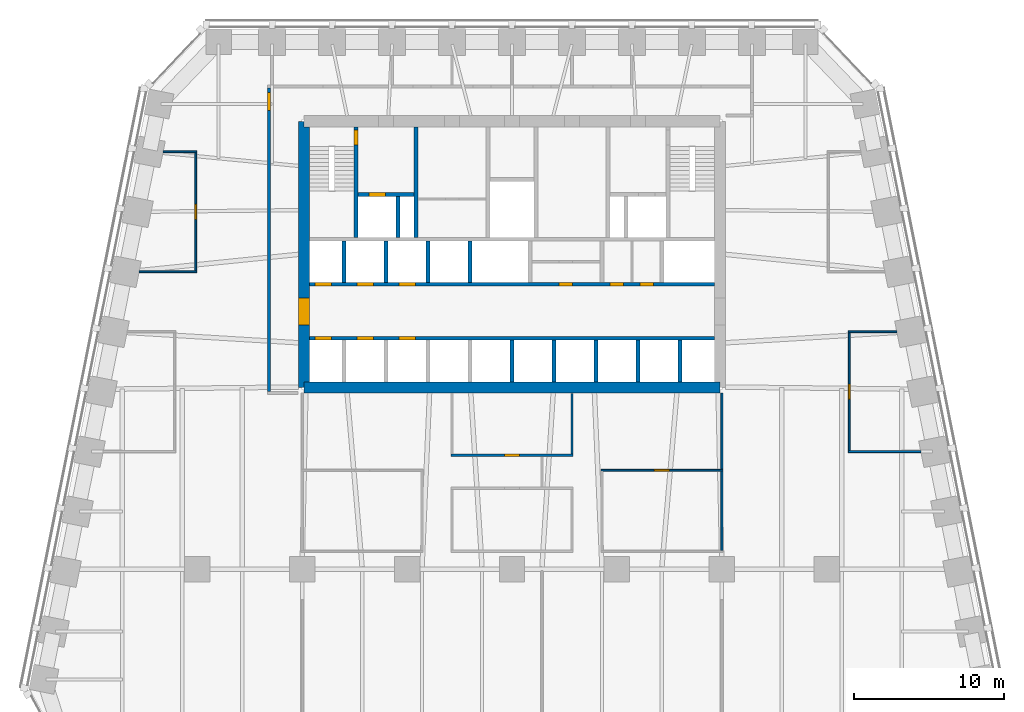
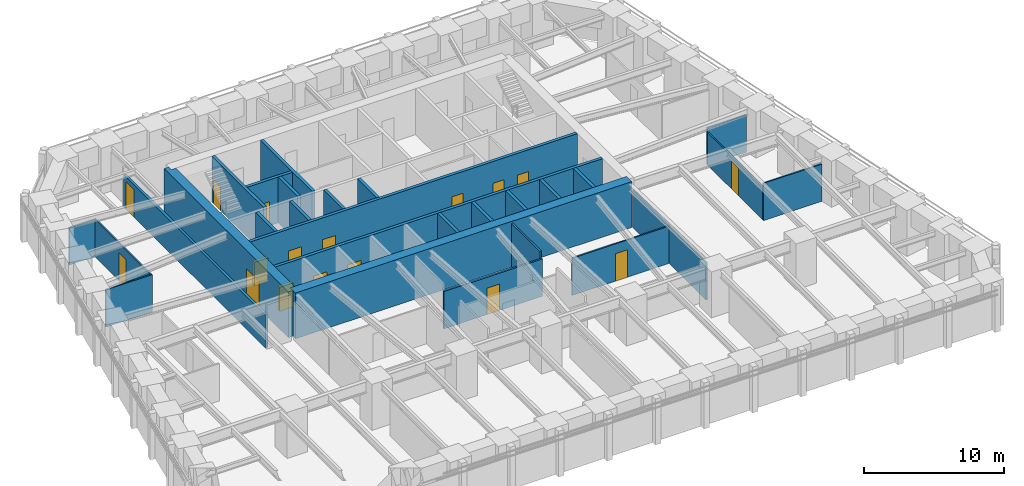
# One storey, part 6 of 10: 29 walls, 17 doors, 17 openings.
"""IFC4 building model written with IfcOpenShell, lengths in metres."""

from ifc_helpers import new_model, si_unit, direction, frame, frame_2d, origin, place, context, subcontext, project, spatial, polyline, rectangle, outline, extrude, material, layer, layer_set, type_object, element, fill, save


model = new_model("IFC4")

# Units and contexts
model_context = context("Model", 3, precision=1e-05, world=origin(), true_north=direction((0.0, 1.0)))
body_context = subcontext(model_context, "Body", "Model", "MODEL_VIEW")
ifc_project = project(units=[si_unit("LENGTHUNIT", "METRE"), si_unit("AREAUNIT", "SQUARE_METRE"), si_unit("VOLUMEUNIT", "CUBIC_METRE"), si_unit("PLANEANGLEUNIT", "RADIAN"), si_unit("MASSUNIT", "GRAM", prefix="KILO")], contexts=[model_context])

# Site, building, storey
site_placement = place(None, origin())
site = spatial("IfcSite", under=ifc_project, at=site_placement, CompositionType="ELEMENT")
building_placement = place(site_placement, origin())
building = spatial("IfcBuilding", under=site, at=building_placement, Name="Isbrekke Arena Tower", CompositionType="ELEMENT")
storey_placement = place(building_placement, frame((0.0, 0.0, 147.0)))
storey = spatial("IfcBuildingStorey", under=building, at=storey_placement, Name="L33", CompositionType="ELEMENT", Elevation=147.0)

# Wall
ifc_material_1 = material(Name="Concrete B55 (C55/67)", Category="concrete")
ifc_layer_1 = layer(ifc_material_1, 0.75)
ifc_layer_set_1 = layer_set([ifc_layer_1], Name="CW3 CORE WALL 750")
wall_type_1 = type_object("IfcWallType", Name="CW3 CORE WALL 750", PredefinedType="SHEAR", material=ifc_layer_set_1)
wall_1_placement = place(storey_placement, frame((-13.875, 6.125, 0.0), z_axis=(0.0, 0.0, 1.0), x_axis=(1.0, 0.0, 0.0)))
element("IfcWall", 1, at=wall_1_placement, inside=storey, type_object=wall_type_1, Name="Core wall S L33", PredefinedType="SHEAR", context=body_context, shape_type="SweptSolid", body=[
    extrude(rectangle(XDim=27.75, YDim=0.75, at=frame_2d((13.875, 0.0))), origin(), (0.0, 0.0, 1.0), 4.0),
])

# Wall, opening, door
wall_2_placement = place(storey_placement, frame((-13.875, 23.875, 0.0), z_axis=(0.0, 0.0, 1.0), x_axis=(0.0, -1.0, 0.0)))
wall_2 = element("IfcWall", 2, at=wall_2_placement, inside=storey, type_object=wall_type_1, Name="Core wall W L33", PredefinedType="SHEAR", context=body_context, shape_type="SweptSolid", body=[
    extrude(outline(polyline([(0.0, -0.375), (17.75, -0.375), (17.75, 0.0), (17.375, 0.0), (17.375, 0.375), (0.375, 0.375), (0.375, 0.0), (0.0, 0.0), (0.0, -0.375)])), origin(), (0.0, 0.0, 1.0), 4.0),
])
opening_1_placement = place(wall_2_placement, frame((11.77490234375, 0.0, 0.0)))
opening_1 = element("IfcOpeningElement", 3, at=opening_1_placement, cuts=wall_2, Name="Opening D1", PredefinedType="OPENING", context=body_context, shape_type="SweptSolid", body=[
    extrude(rectangle(XDim=1.800048828125, YDim=2.39990234375, at=frame_2d((0.89990234375, 1.199951171875))), frame((0.0, 0.389892578125, 0.0), z_axis=(0.0, -1.0, 0.0), x_axis=(1.0, 0.0, 0.0)), (0.0, 0.0, 1.0), 0.77978515625),
])
ifc_material_2 = material(Name="Steel-framed glazed fire door", Category="steel")
door_type_1 = type_object("IfcDoorType", Name="D1 CORE LOBBY DOOR 1800 x 2400", OperationType="DOUBLE_DOOR_SINGLE_SWING", PredefinedType="DOOR", material=ifc_material_2)
door_1_placement = place(opening_1_placement, origin())
door_1 = element("IfcDoor", 4, at=door_1_placement, inside=storey, type_object=door_type_1, Name="D1 lift lobby door west L33", OperationType="DOUBLE_DOOR_SINGLE_SWING", OverallHeight=2.39990234375, OverallWidth=1.800048828125, PredefinedType="DOOR", context=body_context, shape_type="SweptSolid", body=[
    extrude(rectangle(XDim=1.800048828125, YDim=2.39990234375, at=frame_2d((0.89990234375, 1.199951171875))), frame((0.0, 0.374755859375, 0.0), z_axis=(0.0, -1.0, 0.0), x_axis=(1.0, 0.0, 0.0)), (0.0, 0.0, 1.0), 0.74951171875),
])
fill(opening_1, door_1)

# Wall, openings, doors
ifc_material_3 = material(Name="Concrete B45 (C45/55)", Category="concrete")
ifc_layer_2 = layer(ifc_material_3, 0.25)
ifc_layer_set_2 = layer_set([ifc_layer_2], Name="CW6 SHAFT WALL 250")
wall_type_2 = type_object("IfcWallType", Name="CW6 SHAFT WALL 250", PredefinedType="SHEAR", material=ifc_layer_set_2)
wall_3_placement = place(storey_placement, frame((-13.5, 9.39990234375, 0.0), z_axis=(0.0, 0.0, 1.0), x_axis=(1.0, 0.0, 0.0)))
wall_3 = element("IfcWall", 5, at=wall_3_placement, inside=storey, type_object=wall_type_2, Name="Core wall LS L33", PredefinedType="SHEAR", context=body_context, shape_type="SweptSolid", body=[
    extrude(rectangle(XDim=27.0, YDim=0.25, at=frame_2d((13.5, 0.0))), origin(), (0.0, 0.0, 1.0), 4.0),
])
opening_2_placement = place(wall_3_placement, frame((0.35009765625, 0.0, 0.0)))
opening_2 = element("IfcOpeningElement", 6, at=opening_2_placement, cuts=wall_3, Name="Opening LD1", PredefinedType="OPENING", context=body_context, shape_type="SweptSolid", body=[
    extrude(rectangle(XDim=1.10009765625, YDim=2.10009765625, at=frame_2d((0.550048828125, 1.050048828125))), frame((0.0, 0.139892578125, 0.0), z_axis=(0.0, -1.0, 0.0), x_axis=(1.0, 0.0, 0.0)), (0.0, 0.0, 1.0), 0.27978515625),
])
opening_3_placement = place(wall_3_placement, frame((3.14990234375, 0.0, 0.0)))
opening_3 = element("IfcOpeningElement", 7, at=opening_3_placement, cuts=wall_3, Name="Opening LD1", PredefinedType="OPENING", context=body_context, shape_type="SweptSolid", body=[
    extrude(rectangle(XDim=1.10009765625, YDim=2.10009765625, at=frame_2d((0.550048828125, 1.050048828125))), frame((0.0, 0.139892578125, 0.0), z_axis=(0.0, -1.0, 0.0), x_axis=(1.0, 0.0, 0.0)), (0.0, 0.0, 1.0), 0.27978515625),
])
opening_4_placement = place(wall_3_placement, frame((5.949951171875, 0.0, 0.0)))
opening_4 = element("IfcOpeningElement", 8, at=opening_4_placement, cuts=wall_3, Name="Opening LD1", PredefinedType="OPENING", context=body_context, shape_type="SweptSolid", body=[
    extrude(rectangle(XDim=1.10009765625, YDim=2.10009765625, at=frame_2d((0.550048828125, 1.050048828125))), frame((0.0, 0.139892578125, 0.0), z_axis=(0.0, -1.0, 0.0), x_axis=(1.0, 0.0, 0.0)), (0.0, 0.0, 1.0), 0.27978515625),
])
ifc_material_4 = material(Name="Stainless steel lift landing door", Category="steel")
door_type_2 = type_object("IfcDoorType", Name="LD1 LIFT LANDING DOOR 1100 x 2100", OperationType="SLIDING_TO_LEFT", PredefinedType="DOOR", material=ifc_material_4)
door_2_placement = place(opening_2_placement, origin())
door_2 = element("IfcDoor", 9, at=door_2_placement, inside=storey, type_object=door_type_2, Name="LD1 lift landing door LB L33", OperationType="SLIDING_TO_LEFT", OverallHeight=2.10009765625, OverallWidth=1.10009765625, PredefinedType="DOOR", context=body_context, shape_type="SweptSolid", body=[
    extrude(rectangle(XDim=1.10009765625, YDim=2.10009765625, at=frame_2d((0.550048828125, 1.050048828125))), frame((0.0, 0.124755859375, 0.0), z_axis=(0.0, -1.0, 0.0), x_axis=(1.0, 0.0, 0.0)), (0.0, 0.0, 1.0), 0.24951171875),
])
fill(opening_2, door_2)
door_3_placement = place(opening_3_placement, origin())
door_3 = element("IfcDoor", 10, at=door_3_placement, inside=storey, type_object=door_type_2, Name="LD1 lift landing door LB L33", OperationType="SLIDING_TO_LEFT", OverallHeight=2.10009765625, OverallWidth=1.10009765625, PredefinedType="DOOR", context=body_context, shape_type="SweptSolid", body=[
    extrude(rectangle(XDim=1.10009765625, YDim=2.10009765625, at=frame_2d((0.550048828125, 1.050048828125))), frame((0.0, 0.124755859375, 0.0), z_axis=(0.0, -1.0, 0.0), x_axis=(1.0, 0.0, 0.0)), (0.0, 0.0, 1.0), 0.24951171875),
])
fill(opening_3, door_3)
door_4_placement = place(opening_4_placement, origin())
door_4 = element("IfcDoor", 11, at=door_4_placement, inside=storey, type_object=door_type_2, Name="LD1 lift landing door LB L33", OperationType="SLIDING_TO_LEFT", OverallHeight=2.10009765625, OverallWidth=1.10009765625, PredefinedType="DOOR", context=body_context, shape_type="SweptSolid", body=[
    extrude(rectangle(XDim=1.10009765625, YDim=2.10009765625, at=frame_2d((0.550048828125, 1.050048828125))), frame((0.0, 0.124755859375, 0.0), z_axis=(0.0, -1.0, 0.0), x_axis=(1.0, 0.0, 0.0)), (0.0, 0.0, 1.0), 0.24951171875),
])
fill(opening_4, door_4)

wall_4_placement = place(storey_placement, frame((-13.5, 13.0, 0.0), z_axis=(0.0, 0.0, 1.0), x_axis=(1.0, 0.0, 0.0)))
wall_4 = element("IfcWall", 12, at=wall_4_placement, inside=storey, type_object=wall_type_2, Name="Core wall LN L33", PredefinedType="SHEAR", context=body_context, shape_type="SweptSolid", body=[
    extrude(rectangle(XDim=27.0, YDim=0.25, at=frame_2d((13.5, 0.0))), origin(), (0.0, 0.0, 1.0), 4.0),
])
opening_5_placement = place(wall_4_placement, frame((0.35009765625, 0.0, 0.0)))
opening_5 = element("IfcOpeningElement", 13, at=opening_5_placement, cuts=wall_4, Name="Opening LD1", PredefinedType="OPENING", context=body_context, shape_type="SweptSolid", body=[
    extrude(rectangle(XDim=1.10009765625, YDim=2.10009765625, at=frame_2d((0.550048828125, 1.050048828125))), frame((0.0, 0.139892578125, 0.0), z_axis=(0.0, -1.0, 0.0), x_axis=(1.0, 0.0, 0.0)), (0.0, 0.0, 1.0), 0.27978515625),
])
opening_6_placement = place(wall_4_placement, frame((3.14990234375, 0.0, 0.0)))
opening_6 = element("IfcOpeningElement", 14, at=opening_6_placement, cuts=wall_4, Name="Opening LD1", PredefinedType="OPENING", context=body_context, shape_type="SweptSolid", body=[
    extrude(rectangle(XDim=1.10009765625, YDim=2.10009765625, at=frame_2d((0.550048828125, 1.050048828125))), frame((0.0, 0.139892578125, 0.0), z_axis=(0.0, -1.0, 0.0), x_axis=(1.0, 0.0, 0.0)), (0.0, 0.0, 1.0), 0.27978515625),
])
opening_7_placement = place(wall_4_placement, frame((5.949951171875, 0.0, 0.0)))
opening_7 = element("IfcOpeningElement", 15, at=opening_7_placement, cuts=wall_4, Name="Opening LD1", PredefinedType="OPENING", context=body_context, shape_type="SweptSolid", body=[
    extrude(rectangle(XDim=1.10009765625, YDim=2.10009765625, at=frame_2d((0.550048828125, 1.050048828125))), frame((0.0, 0.139892578125, 0.0), z_axis=(0.0, -1.0, 0.0), x_axis=(1.0, 0.0, 0.0)), (0.0, 0.0, 1.0), 0.27978515625),
])
opening_8_placement = place(wall_4_placement, frame((16.64990234375, 0.0, 0.0)))
opening_8 = element("IfcOpeningElement", 16, at=opening_8_placement, cuts=wall_4, Name="Opening D5", PredefinedType="OPENING", context=body_context, shape_type="SweptSolid", body=[
    extrude(rectangle(XDim=0.89990234375, YDim=2.10009765625, at=frame_2d((0.449951171875, 1.050048828125))), frame((0.0, 0.139892578125, 0.0), z_axis=(0.0, -1.0, 0.0), x_axis=(1.0, 0.0, 0.0)), (0.0, 0.0, 1.0), 0.27978515625),
])
opening_9_placement = place(wall_4_placement, frame((20.050048828125, 0.0, 0.0)))
opening_9 = element("IfcOpeningElement", 17, at=opening_9_placement, cuts=wall_4, Name="Opening D5", PredefinedType="OPENING", context=body_context, shape_type="SweptSolid", body=[
    extrude(rectangle(XDim=0.89990234375, YDim=2.10009765625, at=frame_2d((0.449951171875, 1.050048828125))), frame((0.0, 0.139892578125, 0.0), z_axis=(0.0, -1.0, 0.0), x_axis=(1.0, 0.0, 0.0)), (0.0, 0.0, 1.0), 0.27978515625),
])
opening_10_placement = place(wall_4_placement, frame((22.050048828125, 0.0, 0.0)))
opening_10 = element("IfcOpeningElement", 18, at=opening_10_placement, cuts=wall_4, Name="Opening D5", PredefinedType="OPENING", context=body_context, shape_type="SweptSolid", body=[
    extrude(rectangle(XDim=0.89990234375, YDim=2.10009765625, at=frame_2d((0.449951171875, 1.050048828125))), frame((0.0, 0.139892578125, 0.0), z_axis=(0.0, -1.0, 0.0), x_axis=(1.0, 0.0, 0.0)), (0.0, 0.0, 1.0), 0.27978515625),
])
ifc_material_5 = material(Name="Steel fire door", Category="steel")
door_type_3 = type_object("IfcDoorType", Name="D5 SERVICE DOOR 900 x 2100", OperationType="SINGLE_SWING_LEFT", PredefinedType="DOOR", material=ifc_material_5)
door_5_placement = place(opening_8_placement, origin())
door_5 = element("IfcDoor", 19, at=door_5_placement, inside=storey, type_object=door_type_3, Name="D5 first-aid room door L33", OperationType="SINGLE_SWING_LEFT", OverallHeight=2.10009765625, OverallWidth=0.89990234375, PredefinedType="DOOR", context=body_context, shape_type="SweptSolid", body=[
    extrude(rectangle(XDim=0.89990234375, YDim=2.10009765625, at=frame_2d((0.449951171875, 1.050048828125))), frame((0.0, 0.124755859375, 0.0), z_axis=(0.0, -1.0, 0.0), x_axis=(1.0, 0.0, 0.0)), (0.0, 0.0, 1.0), 0.24951171875),
])
fill(opening_8, door_5)
door_6_placement = place(opening_9_placement, origin())
door_6 = element("IfcDoor", 20, at=door_6_placement, inside=storey, type_object=door_type_3, Name="D5 cleaner's store door L33", OperationType="SINGLE_SWING_LEFT", OverallHeight=2.10009765625, OverallWidth=0.89990234375, PredefinedType="DOOR", context=body_context, shape_type="SweptSolid", body=[
    extrude(rectangle(XDim=0.89990234375, YDim=2.10009765625, at=frame_2d((0.449951171875, 1.050048828125))), frame((0.0, 0.124755859375, 0.0), z_axis=(0.0, -1.0, 0.0), x_axis=(1.0, 0.0, 0.0)), (0.0, 0.0, 1.0), 0.24951171875),
])
fill(opening_9, door_6)
door_7_placement = place(opening_10_placement, origin())
door_7 = element("IfcDoor", 21, at=door_7_placement, inside=storey, type_object=door_type_3, Name="D5 communications room door L33", OperationType="SINGLE_SWING_LEFT", OverallHeight=2.10009765625, OverallWidth=0.89990234375, PredefinedType="DOOR", context=body_context, shape_type="SweptSolid", body=[
    extrude(rectangle(XDim=0.89990234375, YDim=2.10009765625, at=frame_2d((0.449951171875, 1.050048828125))), frame((0.0, 0.124755859375, 0.0), z_axis=(0.0, -1.0, 0.0), x_axis=(1.0, 0.0, 0.0)), (0.0, 0.0, 1.0), 0.24951171875),
])
fill(opening_10, door_7)
door_8_placement = place(opening_5_placement, origin())
door_8 = element("IfcDoor", 22, at=door_8_placement, inside=storey, type_object=door_type_2, Name="LD1 lift landing door LB L33", OperationType="SLIDING_TO_LEFT", OverallHeight=2.10009765625, OverallWidth=1.10009765625, PredefinedType="DOOR", context=body_context, shape_type="SweptSolid", body=[
    extrude(rectangle(XDim=1.10009765625, YDim=2.10009765625, at=frame_2d((0.550048828125, 1.050048828125))), frame((0.0, 0.124755859375, 0.0), z_axis=(0.0, -1.0, 0.0), x_axis=(1.0, 0.0, 0.0)), (0.0, 0.0, 1.0), 0.24951171875),
])
fill(opening_5, door_8)
door_9_placement = place(opening_6_placement, origin())
door_9 = element("IfcDoor", 23, at=door_9_placement, inside=storey, type_object=door_type_2, Name="LD1 lift landing door LB L33", OperationType="SLIDING_TO_LEFT", OverallHeight=2.10009765625, OverallWidth=1.10009765625, PredefinedType="DOOR", context=body_context, shape_type="SweptSolid", body=[
    extrude(rectangle(XDim=1.10009765625, YDim=2.10009765625, at=frame_2d((0.550048828125, 1.050048828125))), frame((0.0, 0.124755859375, 0.0), z_axis=(0.0, -1.0, 0.0), x_axis=(1.0, 0.0, 0.0)), (0.0, 0.0, 1.0), 0.24951171875),
])
fill(opening_6, door_9)
door_10_placement = place(opening_7_placement, origin())
door_10 = element("IfcDoor", 24, at=door_10_placement, inside=storey, type_object=door_type_2, Name="LD1 lift landing door LB L33", OperationType="SLIDING_TO_LEFT", OverallHeight=2.10009765625, OverallWidth=1.10009765625, PredefinedType="DOOR", context=body_context, shape_type="SweptSolid", body=[
    extrude(rectangle(XDim=1.10009765625, YDim=2.10009765625, at=frame_2d((0.550048828125, 1.050048828125))), frame((0.0, 0.124755859375, 0.0), z_axis=(0.0, -1.0, 0.0), x_axis=(1.0, 0.0, 0.0)), (0.0, 0.0, 1.0), 0.24951171875),
])
fill(opening_7, door_10)

# Walls
for number, where, z_axis, x_axis, name in (
    (25, (0.0, 6.5, 0.0), (0.0, 0.0, 1.0), (0.0, 1.0, 0.0), "Core wall SS05 L33"),
    (26, (2.800048828125, 6.5, 0.0), (0.0, 0.0, 1.0), (0.0, 1.0, 0.0), "Core wall SS06 L33"),
    (27, (5.60009765625, 6.5, 0.0), (0.0, 0.0, 1.0), (0.0, 1.0, 0.0), "Core wall SS07 L33"),
    (28, (8.39990234375, 6.5, 0.0), (0.0, 0.0, 1.0), (0.0, 1.0, 0.0), "Core wall SS08 L33"),
    (29, (11.199951171875, 6.5, 0.0), (0.0, 0.0, 1.0), (0.0, 1.0, 0.0), "Core wall SS09 L33"),
):
    element("IfcWall", number, at=place(storey_placement, frame(where, z_axis=z_axis, x_axis=x_axis)), inside=storey, type_object=wall_type_2, Name=name, PredefinedType="SHEAR", context=body_context, shape_type="SweptSolid", body=[
        extrude(rectangle(XDim=2.77490234375, YDim=0.25, at=frame_2d((1.387451171875, 0.0))), origin(), (0.0, 0.0, 1.0), 4.0),
    ])
for number, where, z_axis, x_axis, name in (
    (30, (-11.199951171875, 13.125, 0.0), (0.0, 0.0, 1.0), (0.0, 1.0, 0.0), "Core wall SN01 L33"),
    (31, (-8.39990234375, 13.125, 0.0), (0.0, 0.0, 1.0), (0.0, 1.0, 0.0), "Core wall SN02 L33"),
    (32, (-5.60009765625, 13.125, 0.0), (0.0, 0.0, 1.0), (0.0, 1.0, 0.0), "Core wall SN03 L33"),
    (33, (-2.800048828125, 13.125, 0.0), (0.0, 0.0, 1.0), (0.0, 1.0, 0.0), "Core wall SN04 L33"),
):
    element("IfcWall", number, at=place(storey_placement, frame(where, z_axis=z_axis, x_axis=x_axis)), inside=storey, type_object=wall_type_2, Name=name, PredefinedType="SHEAR", context=body_context, shape_type="SweptSolid", body=[
        extrude(rectangle(XDim=2.75, YDim=0.25, at=frame_2d((1.375, 0.0))), origin(), (0.0, 0.0, 1.0), 4.0),
    ])

# Wall, opening, door
wall_5_placement = place(storey_placement, frame((-10.39990234375, 16.125, 0.0), z_axis=(0.0, 0.0, 1.0), x_axis=(0.0, 1.0, 0.0)))
wall_5 = element("IfcWall", 34, at=wall_5_placement, inside=storey, type_object=wall_type_2, Name="Core wall NV01 L33", PredefinedType="SHEAR", context=body_context, shape_type="SweptSolid", body=[
    extrude(rectangle(XDim=7.375, YDim=0.25, at=frame_2d((3.6875, 0.0))), origin(), (0.0, 0.0, 1.0), 4.0),
])
opening_11_placement = place(wall_5_placement, frame((6.175048828125, 0.0, 0.0)))
opening_11 = element("IfcOpeningElement", 35, at=opening_11_placement, cuts=wall_5, Name="Opening D2", PredefinedType="OPENING", context=body_context, shape_type="SweptSolid", body=[
    extrude(rectangle(XDim=1.0, YDim=2.10009765625, at=frame_2d((0.5, 1.050048828125))), frame((0.0, 0.139892578125, 0.0), z_axis=(0.0, -1.0, 0.0), x_axis=(1.0, 0.0, 0.0)), (0.0, 0.0, 1.0), 0.27978515625),
])
ifc_material_6 = material(Name="Steel fire door", Category="steel")
door_type_4 = type_object("IfcDoorType", Name="D2 STAIR DOOR 1000 x 2100", OperationType="SINGLE_SWING_LEFT", PredefinedType="DOOR", material=ifc_material_6)
door_11_placement = place(opening_11_placement, origin())
door_11 = element("IfcDoor", 36, at=door_11_placement, inside=storey, type_object=door_type_4, Name="D2 stair door ST1 L33", OperationType="SINGLE_SWING_LEFT", OverallHeight=2.10009765625, OverallWidth=1.0, PredefinedType="DOOR", context=body_context, shape_type="SweptSolid", body=[
    extrude(rectangle(XDim=1.0, YDim=2.10009765625, at=frame_2d((0.5, 1.050048828125))), frame((0.0, 0.124755859375, 0.0), z_axis=(0.0, -1.0, 0.0), x_axis=(1.0, 0.0, 0.0)), (0.0, 0.0, 1.0), 0.24951171875),
])
fill(opening_11, door_11)

# Wall
wall_6_placement = place(storey_placement, frame((-6.39990234375, 16.125, 0.0), z_axis=(0.0, 0.0, 1.0), x_axis=(0.0, 1.0, 0.0)))
element("IfcWall", 37, at=wall_6_placement, inside=storey, type_object=wall_type_2, Name="Core wall NV02 L33", PredefinedType="SHEAR", context=body_context, shape_type="SweptSolid", body=[
    extrude(rectangle(XDim=7.375, YDim=0.25, at=frame_2d((3.6875, 0.0))), origin(), (0.0, 0.0, 1.0), 4.0),
])

# Wall, opening, door
wall_7_placement = place(storey_placement, frame((-10.27490234375, 19.0, 0.0), z_axis=(0.0, 0.0, 1.0), x_axis=(1.0, 0.0, 0.0)))
wall_7 = element("IfcWall", 38, at=wall_7_placement, inside=storey, type_object=wall_type_2, Name="Core wall NFW L33", PredefinedType="SHEAR", context=body_context, shape_type="SweptSolid", body=[
    extrude(rectangle(XDim=3.75, YDim=0.25, at=frame_2d((1.875, 0.0))), origin(), (0.0, 0.0, 1.0), 4.0),
])
opening_12_placement = place(wall_7_placement, frame((0.72509765625, 0.0, 0.0)))
opening_12 = element("IfcOpeningElement", 39, at=opening_12_placement, cuts=wall_7, Name="Opening LD2", PredefinedType="OPENING", context=body_context, shape_type="SweptSolid", body=[
    extrude(rectangle(XDim=1.10009765625, YDim=2.10009765625, at=frame_2d((0.550048828125, 1.050048828125))), frame((0.0, 0.139892578125, 0.0), z_axis=(0.0, -1.0, 0.0), x_axis=(1.0, 0.0, 0.0)), (0.0, 0.0, 1.0), 0.27978515625),
])
ifc_material_7 = material(Name="Stainless steel lift landing door", Category="steel")
door_type_5 = type_object("IfcDoorType", Name="LD2 FIRE-FIGHTING LIFT LANDING DOOR 1100 x 2100", OperationType="SLIDING_TO_RIGHT", PredefinedType="DOOR", material=ifc_material_7)
door_12_placement = place(opening_12_placement, origin())
door_12 = element("IfcDoor", 40, at=door_12_placement, inside=storey, type_object=door_type_5, Name="LD2 lift landing door LF L33", OperationType="SLIDING_TO_RIGHT", OverallHeight=2.10009765625, OverallWidth=1.10009765625, PredefinedType="DOOR", context=body_context, shape_type="SweptSolid", body=[
    extrude(rectangle(XDim=1.10009765625, YDim=2.10009765625, at=frame_2d((0.550048828125, 1.050048828125))), frame((0.0, 0.124755859375, 0.0), z_axis=(0.0, -1.0, 0.0), x_axis=(1.0, 0.0, 0.0)), (0.0, 0.0, 1.0), 0.24951171875),
])
fill(opening_12, door_12)

# Wall
wall_8_placement = place(storey_placement, frame((-7.60009765625, 16.125, 0.0), z_axis=(0.0, 0.0, 1.0), x_axis=(0.0, 1.0, 0.0)))
element("IfcWall", 41, at=wall_8_placement, inside=storey, type_object=wall_type_2, Name="Core wall NFS1 L33", PredefinedType="SHEAR", context=body_context, shape_type="SweptSolid", body=[
    extrude(rectangle(XDim=2.75, YDim=0.25, at=frame_2d((1.375, 0.0))), origin(), (0.0, 0.0, 1.0), 4.0),
])

# Wall, opening, door
ifc_material_8 = material(Name="Gypsum board partition on steel studs", Category="steel")
ifc_layer_3 = layer(ifc_material_8, 0.14990234375)
ifc_layer_set_3 = layer_set([ifc_layer_3], Name="IW1 PARTITION 150")
wall_type_3 = type_object("IfcWallType", Name="IW1 PARTITION 150", PredefinedType="PARTITIONING", material=ifc_layer_set_3)
wall_9_placement = place(storey_placement, frame((-4.074951171875, 1.60009765625, 0.0), z_axis=(0.0, 0.0, 1.0), x_axis=(1.0, 0.0, 0.0)))
wall_9 = element("IfcWall", 42, at=wall_9_placement, inside=storey, type_object=wall_type_3, Name="IW1 partition 150 L33", PredefinedType="PARTITIONING", context=body_context, shape_type="SweptSolid", body=[
    extrude(rectangle(XDim=8.14990234375, YDim=0.14990234375, at=frame_2d((4.074951171875, 0.0))), origin(), (0.0, 0.0, 1.0), 3.25),
])
opening_13_placement = place(wall_9_placement, frame((3.574951171875, 0.0, 0.0)))
opening_13 = element("IfcOpeningElement", 43, at=opening_13_placement, cuts=wall_9, Name="Opening D10", PredefinedType="OPENING", context=body_context, shape_type="SweptSolid", body=[
    extrude(rectangle(XDim=1.0, YDim=2.300048828125, at=frame_2d((0.5, 1.14990234375))), frame((0.0, 0.08984375, 0.0), z_axis=(0.0, -1.0, 0.0), x_axis=(1.0, 0.0, 0.0)), (0.0, 0.0, 1.0), 0.1796875),
])
ifc_material_9 = material(Name="Timber door", Category="wood")
door_type_6 = type_object("IfcDoorType", Name="D10 OFFICE DOOR 1000 x 2300", OperationType="SINGLE_SWING_LEFT", PredefinedType="DOOR", material=ifc_material_9)
door_13_placement = place(opening_13_placement, origin())
door_13 = element("IfcDoor", 44, at=door_13_placement, inside=storey, type_object=door_type_6, Name="D10 print room door L33", OperationType="SINGLE_SWING_LEFT", OverallHeight=2.300048828125, OverallWidth=1.0, PredefinedType="DOOR", context=body_context, shape_type="SweptSolid", body=[
    extrude(rectangle(XDim=1.0, YDim=2.300048828125, at=frame_2d((0.5, 1.14990234375))), frame((0.0, 0.07470703125, 0.0), z_axis=(0.0, -1.0, 0.0), x_axis=(1.0, 0.0, 0.0)), (0.0, 0.0, 1.0), 0.1494140625),
])
fill(opening_13, door_13)

# Wall
wall_10_placement = place(storey_placement, frame((4.0, 1.675048828125, 0.0), z_axis=(0.0, 0.0, 1.0), x_axis=(0.0, 1.0, 0.0)))
element("IfcWall", 45, at=wall_10_placement, inside=storey, type_object=wall_type_3, Name="IW1 partition 150 L33", PredefinedType="PARTITIONING", context=body_context, shape_type="SweptSolid", body=[
    extrude(rectangle(XDim=4.044921875, YDim=0.14990234375, at=frame_2d((2.0224609375, 0.0))), origin(), (0.0, 0.0, 1.0), 3.85009765625),
])

# Wall, opening, door
ifc_material_10 = material(Name="Frameless glazed partition, laminated acoustic glass", Category="glass")
ifc_layer_4 = layer(ifc_material_10, 0.1201171875)
ifc_layer_set_4 = layer_set([ifc_layer_4], Name="IW2 GLAZED PARTITION 120")
wall_type_4 = type_object("IfcWallType", Name="IW2 GLAZED PARTITION 120", PredefinedType="PARTITIONING", material=ifc_layer_set_4)
wall_11_placement = place(storey_placement, frame((5.93994140625, 0.60009765625, 0.0), z_axis=(0.0, 0.0, 1.0), x_axis=(1.0, 0.0, 0.0)))
wall_11 = element("IfcWall", 46, at=wall_11_placement, inside=storey, type_object=wall_type_4, Name="IW2 glazed partition 120 L33", PredefinedType="PARTITIONING", context=body_context, shape_type="SweptSolid", body=[
    extrude(rectangle(XDim=8.1201171875, YDim=0.1201171875, at=frame_2d((4.06005859375, 0.0))), origin(), (0.0, 0.0, 1.0), 3.25),
])
opening_14_placement = place(wall_11_placement, frame((3.56005859375, 0.0, 0.0)))
opening_14 = element("IfcOpeningElement", 47, at=opening_14_placement, cuts=wall_11, Name="Opening D11", PredefinedType="OPENING", context=body_context, shape_type="SweptSolid", body=[
    extrude(rectangle(XDim=1.0, YDim=2.39990234375, at=frame_2d((0.5, 1.199951171875))), frame((0.0, 0.074951171875, 0.0), z_axis=(0.0, -1.0, 0.0), x_axis=(1.0, 0.0, 0.0)), (0.0, 0.0, 1.0), 0.14990234375),
])
ifc_material_11 = material(Name="Frameless glazed door", Category="glass")
door_type_7 = type_object("IfcDoorType", Name="D11 GLAZED MEETING ROOM DOOR 1000 x 2400", OperationType="SINGLE_SWING_RIGHT", PredefinedType="DOOR", material=ifc_material_11)
door_14_placement = place(opening_14_placement, origin())
door_14 = element("IfcDoor", 48, at=door_14_placement, inside=storey, type_object=door_type_7, Name="D11 meeting room door L33", OperationType="SINGLE_SWING_RIGHT", OverallHeight=2.39990234375, OverallWidth=1.0, PredefinedType="DOOR", context=body_context, shape_type="SweptSolid", body=[
    extrude(rectangle(XDim=1.0, YDim=2.39990234375, at=frame_2d((0.5, 1.199951171875))), frame((0.0, 0.059814453125, 0.0), z_axis=(0.0, -1.0, 0.0), x_axis=(1.0, 0.0, 0.0)), (0.0, 0.0, 1.0), 0.11962890625),
])
fill(opening_14, door_14)

# Walls
wall_12_placement = place(storey_placement, frame((22.43994140625, 1.840087890625, 0.0), z_axis=(0.0, 0.0, 1.0), x_axis=(1.0, 0.0, 0.0)))
element("IfcWall", 49, at=wall_12_placement, inside=storey, type_object=wall_type_4, Name="IW2 glazed partition 120 L33", PredefinedType="PARTITIONING", context=body_context, shape_type="SweptSolid", body=[
    extrude(rectangle(XDim=4.832763671875, YDim=0.1201171875, at=frame_2d((2.41650390625, 0.0))), origin(), (0.0, 0.0, 1.0), 3.25),
])
wall_13_placement = place(storey_placement, frame((22.43994140625, 9.840087890625, 0.0), z_axis=(0.0, 0.0, 1.0), x_axis=(1.0, 0.0, 0.0)))
element("IfcWall", 50, at=wall_13_placement, inside=storey, type_object=wall_type_4, Name="IW2 glazed partition 120 L33", PredefinedType="PARTITIONING", context=body_context, shape_type="SweptSolid", body=[
    extrude(rectangle(XDim=3.23291015625, YDim=0.1201171875, at=frame_2d((1.616455078125, 0.0))), origin(), (0.0, 0.0, 1.0), 3.25),
])
wall_14_placement = place(storey_placement, frame((-24.872802734375, 13.840087890625, 0.0), z_axis=(0.0, 0.0, 1.0), x_axis=(1.0, 0.0, 0.0)))
element("IfcWall", 51, at=wall_14_placement, inside=storey, type_object=wall_type_4, Name="IW2 glazed partition 120 L33", PredefinedType="PARTITIONING", context=body_context, shape_type="SweptSolid", body=[
    extrude(rectangle(XDim=3.832763671875, YDim=0.1201171875, at=frame_2d((1.91650390625, 0.0))), origin(), (0.0, 0.0, 1.0), 3.25),
])
wall_15_placement = place(storey_placement, frame((-23.272705078125, 21.840087890625, 0.0), z_axis=(0.0, 0.0, 1.0), x_axis=(1.0, 0.0, 0.0)))
element("IfcWall", 52, at=wall_15_placement, inside=storey, type_object=wall_type_4, Name="IW2 glazed partition 120 L33", PredefinedType="PARTITIONING", context=body_context, shape_type="SweptSolid", body=[
    extrude(rectangle(XDim=2.232666015625, YDim=0.1201171875, at=frame_2d((1.1162109375, 0.0))), origin(), (0.0, 0.0, 1.0), 3.25),
])

# Wall, opening, door
wall_16_placement = place(storey_placement, frame((-21.10009765625, 13.89990234375, 0.0), z_axis=(0.0, 0.0, 1.0), x_axis=(0.0, 1.0, 0.0)))
wall_16 = element("IfcWall", 53, at=wall_16_placement, inside=storey, type_object=wall_type_4, Name="IW2 glazed partition 120 L33", PredefinedType="PARTITIONING", context=body_context, shape_type="SweptSolid", body=[
    extrude(rectangle(XDim=7.880126953125, YDim=0.1201171875, at=frame_2d((3.93994140625, 0.0))), origin(), (0.0, 0.0, 1.0), 3.25),
])
opening_15_placement = place(wall_16_placement, frame((3.43994140625, 0.0, 0.0)))
opening_15 = element("IfcOpeningElement", 54, at=opening_15_placement, cuts=wall_16, Name="Opening D11", PredefinedType="OPENING", context=body_context, shape_type="SweptSolid", body=[
    extrude(rectangle(XDim=1.0, YDim=2.39990234375, at=frame_2d((0.5, 1.199951171875))), frame((0.0, 0.074951171875, 0.0), z_axis=(0.0, -1.0, 0.0), x_axis=(1.0, 0.0, 0.0)), (0.0, 0.0, 1.0), 0.14990234375),
])
door_15_placement = place(opening_15_placement, origin())
door_15 = element("IfcDoor", 55, at=door_15_placement, inside=storey, type_object=door_type_7, Name="D11 project room door L33", OperationType="SINGLE_SWING_RIGHT", OverallHeight=2.39990234375, OverallWidth=1.0, PredefinedType="DOOR", context=body_context, shape_type="SweptSolid", body=[
    extrude(rectangle(XDim=1.0, YDim=2.39990234375, at=frame_2d((0.5, 1.199951171875))), frame((0.0, 0.059814453125, 0.0), z_axis=(0.0, -1.0, 0.0), x_axis=(1.0, 0.0, 0.0)), (0.0, 0.0, 1.0), 0.11962890625),
])
fill(opening_15, door_15)

# Wall
wall_17_placement = place(storey_placement, frame((14.0, -4.739990234375, 0.0), z_axis=(0.0, 0.0, 1.0), x_axis=(0.0, 1.0, 0.0)))
element("IfcWall", 56, at=wall_17_placement, inside=storey, type_object=wall_type_4, Name="IW2 glazed partition 120 L33", PredefinedType="PARTITIONING", context=body_context, shape_type="SweptSolid", body=[
    extrude(rectangle(XDim=5.280029296875, YDim=0.1201171875, at=frame_2d((2.64013671875, 0.0))), origin(), (0.0, 0.0, 1.0), 3.25),
])

# Wall, opening, door
wall_18_placement = place(storey_placement, frame((22.5, 1.89990234375, 0.0), z_axis=(0.0, 0.0, 1.0), x_axis=(0.0, 1.0, 0.0)))
wall_18 = element("IfcWall", 57, at=wall_18_placement, inside=storey, type_object=wall_type_4, Name="IW2 glazed partition 120 L33", PredefinedType="PARTITIONING", context=body_context, shape_type="SweptSolid", body=[
    extrude(rectangle(XDim=7.880126953125, YDim=0.1201171875, at=frame_2d((3.93994140625, 0.0))), origin(), (0.0, 0.0, 1.0), 2.842041015625),
])
opening_16_placement = place(wall_18_placement, frame((3.43994140625, 0.0, 0.0)))
opening_16 = element("IfcOpeningElement", 58, at=opening_16_placement, cuts=wall_18, Name="Opening D11", PredefinedType="OPENING", context=body_context, shape_type="SweptSolid", body=[
    extrude(rectangle(XDim=1.0, YDim=2.39990234375, at=frame_2d((0.5, 1.199951171875))), frame((0.0, 0.074951171875, 0.0), z_axis=(0.0, -1.0, 0.0), x_axis=(1.0, 0.0, 0.0)), (0.0, 0.0, 1.0), 0.14990234375),
])
door_16_placement = place(opening_16_placement, origin())
door_16 = element("IfcDoor", 59, at=door_16_placement, inside=storey, type_object=door_type_7, Name="D11 project room door L33", OperationType="SINGLE_SWING_RIGHT", OverallHeight=2.39990234375, OverallWidth=1.0, PredefinedType="DOOR", context=body_context, shape_type="SweptSolid", body=[
    extrude(rectangle(XDim=1.0, YDim=2.39990234375, at=frame_2d((0.5, 1.199951171875))), frame((0.0, 0.059814453125, 0.0), z_axis=(0.0, -1.0, 0.0), x_axis=(1.0, 0.0, 0.0)), (0.0, 0.0, 1.0), 0.11962890625),
])
fill(opening_16, door_16)

# Wall
wall_19_placement = place(storey_placement, frame((14.0, 0.679931640625, 0.0), z_axis=(0.0, 0.0, 1.0), x_axis=(0.0, 1.0, 0.0)))
element("IfcWall", 60, at=wall_19_placement, inside=storey, type_object=wall_type_4, Name="IW2 glazed partition 120 L33", PredefinedType="PARTITIONING", context=body_context, shape_type="SweptSolid", body=[
    extrude(rectangle(XDim=5.070068359375, YDim=0.1201171875, at=frame_2d((2.53515625, 0.0))), origin(), (0.0, 0.0, 1.0), 3.25),
])

# Wall, opening, door
ifc_material_12 = material(Name="Gypsum board fire-cell wall on steel studs, two layers each side", Category="steel")
ifc_layer_5 = layer(ifc_material_12, 0.199951171875)
ifc_layer_set_5 = layer_set([ifc_layer_5], Name="IW3 FIRE-CELL WALL 200")
wall_type_5 = type_object("IfcWallType", Name="IW3 FIRE-CELL WALL 200", PredefinedType="PARTITIONING", material=ifc_layer_set_5)
wall_20_placement = place(storey_placement, frame((-16.199951171875, 5.85009765625, 0.0), z_axis=(0.0, 0.0, 1.0), x_axis=(0.0, 1.0, 0.0)))
wall_20 = element("IfcWall", 61, at=wall_20_placement, inside=storey, type_object=wall_type_5, Name="IW3 fire-cell wall 200 L33", PredefinedType="PARTITIONING", context=body_context, shape_type="SweptSolid", body=[
    extrude(rectangle(XDim=20.25, YDim=0.199951171875, at=frame_2d((10.125, 0.0))), origin(), (0.0, 0.0, 1.0), 2.842041015625),
])
opening_17_placement = place(wall_20_placement, frame((18.75, 0.0, 0.0)))
opening_17 = element("IfcOpeningElement", 62, at=opening_17_placement, cuts=wall_20, Name="Opening D12", PredefinedType="OPENING", context=body_context, shape_type="SweptSolid", body=[
    extrude(rectangle(XDim=1.199951171875, YDim=2.39990234375, at=frame_2d((0.60009765625, 1.199951171875))), frame((0.0, 0.11474609375, 0.0), z_axis=(0.0, -1.0, 0.0), x_axis=(1.0, 0.0, 0.0)), (0.0, 0.0, 1.0), 0.229736328125),
])
ifc_material_13 = material(Name="Timber fire door with vision panel", Category="wood")
door_type_8 = type_object("IfcDoorType", Name="D12 SUITE ENTRANCE DOOR 1200 x 2400", OperationType="SINGLE_SWING_LEFT", PredefinedType="DOOR", material=ifc_material_13)
door_17_placement = place(opening_17_placement, origin())
door_17 = element("IfcDoor", 63, at=door_17_placement, inside=storey, type_object=door_type_8, Name="D12 suite entrance A door L33", OperationType="SINGLE_SWING_LEFT", OverallHeight=2.39990234375, OverallWidth=1.199951171875, PredefinedType="DOOR", context=body_context, shape_type="SweptSolid", body=[
    extrude(rectangle(XDim=1.199951171875, YDim=2.39990234375, at=frame_2d((0.60009765625, 1.199951171875))), frame((0.0, 0.099609375, 0.0), z_axis=(0.0, -1.0, 0.0), x_axis=(1.0, 0.0, 0.0)), (0.0, 0.0, 1.0), 0.199462890625),
])
fill(opening_17, door_17)

save(model, "model.ifc")
